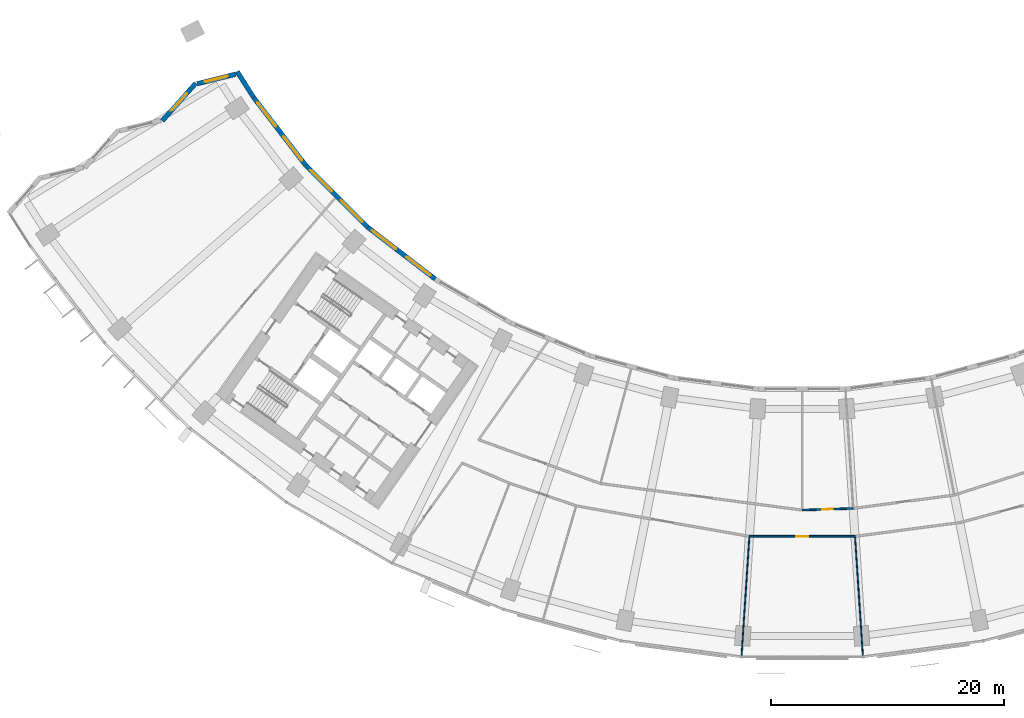
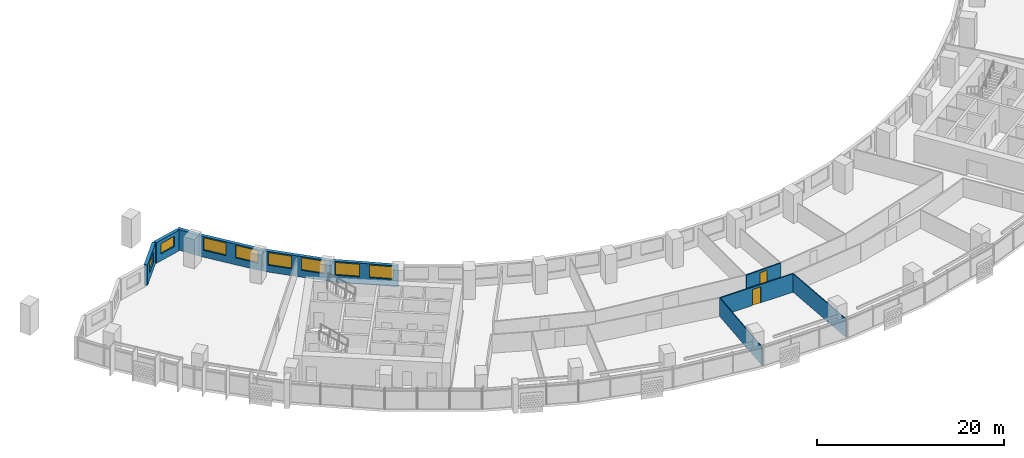
# One storey, part 5 of 31: 10 walls, 8 windows, 2 doors, 10 openings.
"""IFC4 building model written with IfcOpenShell, lengths in metres."""

from ifc_helpers import new_model, si_unit, direction, frame, frame_2d, origin, place, context, subcontext, project, spatial, rectangle, extrude, material, layer, layer_set, type_object, element, fill, save


model = new_model("IFC4")

# Units and contexts
model_context = context("Model", 3, precision=1e-05, world=origin(), true_north=direction((0.0, 1.0)))
body_context = subcontext(model_context, "Body", "Model", "MODEL_VIEW")
ifc_project = project(units=[si_unit("LENGTHUNIT", "METRE"), si_unit("AREAUNIT", "SQUARE_METRE"), si_unit("VOLUMEUNIT", "CUBIC_METRE"), si_unit("PLANEANGLEUNIT", "RADIAN"), si_unit("MASSUNIT", "GRAM", prefix="KILO")], contexts=[model_context])

# Site, building, storey
site_placement = place(None, origin())
site = spatial("IfcSite", under=ifc_project, at=site_placement, CompositionType="ELEMENT")
building_placement = place(site_placement, origin())
building = spatial("IfcBuilding", under=site, at=building_placement, Name="Qamariyya Broadcast Tower", CompositionType="ELEMENT")
storey_placement = place(building_placement, frame((0.0, 0.0, 82.300048828125)))
storey = spatial("IfcBuildingStorey", under=building, at=storey_placement, Name="L17", CompositionType="ELEMENT", Elevation=82.300048828125)

# Wall, opening, door
ifc_material_1 = material(Name="Gypsum board partition")
ifc_layer_1 = layer(ifc_material_1, 0.14990234375)
ifc_layer_set_1 = layer_set([ifc_layer_1], Name="Corridor partition 150 EI 60")
wall_type_1 = type_object("IfcWallType", Name="Corridor partition 150 EI 60", PredefinedType="PARTITIONING", material=ifc_layer_set_1)
wall_1_placement = place(storey_placement, frame((4.52587890625, -69.0517578125, 0.0), z_axis=(0.0, 0.0, 1.0), x_axis=(-1.0, 0.0, 0.0)))
wall_1 = element("IfcWall", 1, at=wall_1_placement, inside=storey, type_object=wall_type_1, Name="Partition L17-013", PredefinedType="PARTITIONING", context=body_context, shape_type="SweptSolid", body=[
    extrude(rectangle(XDim=9.0517578125, YDim=0.14990234375, at=frame_2d((4.52587890625, 0.0))), origin(), (0.0, 0.0, 1.0), 2.39990234375),
])
opening_1_placement = place(wall_1_placement, frame((4.02587890625, 0.0, 0.0)))
opening_1 = element("IfcOpeningElement", 2, at=opening_1_placement, cuts=wall_1, Name="Opening L17-D04", PredefinedType="OPENING", context=body_context, shape_type="SweptSolid", body=[
    extrude(rectangle(XDim=1.0, YDim=2.10009765625, at=frame_2d((0.5, 1.050048828125))), frame((0.0, 0.0849609375, 0.0), z_axis=(0.0, -1.0, 0.0), x_axis=(1.0, 0.0, 0.0)), (0.0, 0.0, 1.0), 0.169921875),
])
ifc_material_2 = material(Name="Timber fire door leaf", Category="wood")
door_type_1 = type_object("IfcDoorType", Name="Fire door 1000 x 2100 FD60", OperationType="NOTDEFINED", PredefinedType="DOOR", material=ifc_material_2)
door_1_placement = place(opening_1_placement, origin())
door_1 = element("IfcDoor", 3, at=door_1_placement, inside=storey, type_object=door_type_1, Name="Door L17-D04", OperationType="SINGLE_SWING_RIGHT", OverallHeight=2.10009765625, OverallWidth=1.0, PredefinedType="DOOR", context=body_context, shape_type="SweptSolid", body=[
    extrude(rectangle(XDim=1.0, YDim=2.10009765625, at=frame_2d((0.5, 1.050048828125))), frame((0.0, 0.02490234375, 0.0), z_axis=(0.0, -1.0, 0.0), x_axis=(1.0, 0.0, 0.0)), (0.0, 0.0, 1.0), 0.050048828125),
])
fill(opening_1, door_1)

wall_2_placement = place(storey_placement, frame((0.0, -66.800048828125, 0.0), z_axis=(0.0, 0.0, 1.0), x_axis=(0.99946426167, 0.03272903366, 0.0)))
wall_2 = element("IfcWall", 4, at=wall_2_placement, inside=storey, type_object=wall_type_1, Name="Partition L17-014", PredefinedType="PARTITIONING", context=body_context, shape_type="SweptSolid", body=[
    extrude(rectangle(XDim=4.371337890625, YDim=0.14990234375, at=frame_2d((2.185546875, 0.0))), origin(), (0.0, 0.0, 1.0), 2.39990234375),
])
opening_2_placement = place(wall_2_placement, frame((1.735595703125, 0.0, 0.0)))
opening_2 = element("IfcOpeningElement", 5, at=opening_2_placement, cuts=wall_2, Name="Opening L17-D09", PredefinedType="OPENING", context=body_context, shape_type="SweptSolid", body=[
    extrude(rectangle(XDim=0.89990234375, YDim=2.10009765625, at=frame_2d((0.449951171875, 1.050048828125))), frame((0.0, 0.0849609375, 0.0), z_axis=(0.0, -1.0, 0.0), x_axis=(1.0, 0.0, 0.0)), (0.0, 0.0, 1.0), 0.169921875),
])
door_type_2 = type_object("IfcDoorType", Name="Fire door 900 x 2100 FD60", OperationType="NOTDEFINED", PredefinedType="DOOR", material=ifc_material_2)
door_2_placement = place(opening_2_placement, origin())
door_2 = element("IfcDoor", 6, at=door_2_placement, inside=storey, type_object=door_type_2, Name="Door L17-D09", OperationType="SINGLE_SWING_RIGHT", OverallHeight=2.10009765625, OverallWidth=0.89990234375, PredefinedType="DOOR", context=body_context, shape_type="SweptSolid", body=[
    extrude(rectangle(XDim=0.89990234375, YDim=2.10009765625, at=frame_2d((0.449951171875, 1.050048828125))), frame((0.0, 0.02490234375, 0.0), z_axis=(0.0, -1.0, 0.0), x_axis=(1.0, 0.0, 0.0)), (0.0, 0.0, 1.0), 0.050048828125),
])
fill(opening_2, door_2)

# Walls
ifc_layer_2 = layer(ifc_material_1, 0.10009765625)
ifc_layer_set_2 = layer_set([ifc_layer_2], Name="Partition 100")
wall_type_2 = type_object("IfcWallType", Name="Partition 100", PredefinedType="PARTITIONING", material=ifc_layer_set_2)
for number, where, z_axis, x_axis, name in (
    (7, (-5.1962890625, -79.27978515625, 0.0), (0.0, 0.0, 1.0), (0.065408959123, 0.99785854111, 0.0), "Partition L17-012"),
    (8, (5.1962890625, -79.27978515625, 0.0), (0.0, 0.0, 1.0), (-0.065408959123, 0.99785854111, 0.0), "Partition L17-019"),
):
    element("IfcWall", number, at=place(storey_placement, frame(where, z_axis=z_axis, x_axis=x_axis)), inside=storey, type_object=wall_type_2, Name=name, PredefinedType="PARTITIONING", context=body_context, shape_type="SweptSolid", body=[
        extrude(rectangle(XDim=10.1748046875, YDim=0.10009765625, at=frame_2d((5.08740234375, 0.0))), origin(), (0.0, 0.0, 1.0), 2.39990234375),
    ])

# Wall, opening, window
ifc_material_3 = material(Name="Terracotta", Category="masonry")
ifc_layer_3 = layer(ifc_material_3, 0.39990234375)
ifc_layer_set_3 = layer_set([ifc_layer_3], Name="Terracotta clad wall 400")
wall_type_3 = type_object("IfcWallType", Name="Terracotta clad wall 400", PredefinedType="SOLIDWALL", material=ifc_layer_set_3)
wall_3_placement = place(storey_placement, frame((-48.55419921875, -29.44580078125, 0.0), z_axis=(0.0, 0.0, 1.0), x_axis=(-0.970551535224, -0.240893581225, 0.0)))
wall_3 = element("IfcWall", 9, at=wall_3_placement, inside=storey, type_object=wall_type_3, Name="e-wl-L17-capW0", PredefinedType="SOLIDWALL", context=body_context, shape_type="SweptSolid", body=[
    extrude(rectangle(XDim=3.39404296875, YDim=0.39990234375, at=frame_2d((1.697021484375, 0.0))), origin(), (0.0, 0.0, 1.0), 2.699951171875),
])
opening_3_placement = place(wall_3_placement, frame((0.697021484375, 0.0, 0.89990234375)))
opening_3 = element("IfcOpeningElement", 10, at=opening_3_placement, cuts=wall_3, Name="Opening W4", PredefinedType="OPENING", context=body_context, shape_type="SweptSolid", body=[
    extrude(rectangle(XDim=2.0, YDim=1.35009765625, at=frame_2d((1.0, 0.675048828125))), frame((0.0, 0.2099609375, 0.0), z_axis=(0.0, -1.0, 0.0), x_axis=(1.0, 0.0, 0.0)), (0.0, 0.0, 1.0), 0.419921875),
])
ifc_material_4 = material(Name="Clear low-e double glazed unit in aluminium frame", Category="aluminium")
window_type_1 = type_object("IfcWindowType", Name="Horn bay window 2000 x 1350", PartitioningType="SINGLE_PANEL", PredefinedType="WINDOW", material=ifc_material_4)
window_1_placement = place(opening_3_placement, origin())
window_1 = element("IfcWindow", 11, at=window_1_placement, inside=storey, type_object=window_type_1, Name="e-w-L17-capW0", OverallHeight=1.35009765625, OverallWidth=2.0, PartitioningType="SINGLE_PANEL", PredefinedType="WINDOW", context=body_context, shape_type="SweptSolid", body=[
    extrude(rectangle(XDim=2.0, YDim=1.35009765625, at=frame_2d((1.0, 0.675048828125))), frame((0.0, 0.030029296875, 0.0), z_axis=(0.0, -1.0, 0.0), x_axis=(1.0, 0.0, 0.0)), (0.0, 0.0, 1.0), 0.06005859375),
])
fill(opening_3, window_1)

wall_4_placement = place(storey_placement, frame((-51.97265625, -30.23046875, 0.0), z_axis=(0.0, 0.0, 1.0), x_axis=(-0.66548480652, -0.746411396143, 0.0)))
wall_4 = element("IfcWall", 12, at=wall_4_placement, inside=storey, type_object=wall_type_3, Name="e-wl-L17-capW1", PredefinedType="SOLIDWALL", context=body_context, shape_type="SweptSolid", body=[
    extrude(rectangle(XDim=4.2958984375, YDim=0.39990234375, at=frame_2d((2.14794921875, 0.0))), origin(), (0.0, 0.0, 1.0), 2.699951171875),
])
opening_4_placement = place(wall_4_placement, frame((1.14794921875, 0.0, 0.89990234375)))
opening_4 = element("IfcOpeningElement", 13, at=opening_4_placement, cuts=wall_4, Name="Opening W4", PredefinedType="OPENING", context=body_context, shape_type="SweptSolid", body=[
    extrude(rectangle(XDim=2.0, YDim=1.35009765625, at=frame_2d((1.0, 0.675048828125))), frame((0.0, 0.2099609375, 0.0), z_axis=(0.0, -1.0, 0.0), x_axis=(1.0, 0.0, 0.0)), (0.0, 0.0, 1.0), 0.419921875),
])
window_2_placement = place(opening_4_placement, origin())
window_2 = element("IfcWindow", 14, at=window_2_placement, inside=storey, type_object=window_type_1, Name="e-w-L17-capW1", OverallHeight=1.35009765625, OverallWidth=2.0, PartitioningType="SINGLE_PANEL", PredefinedType="WINDOW", context=body_context, shape_type="SweptSolid", body=[
    extrude(rectangle(XDim=2.0, YDim=1.35009765625, at=frame_2d((1.0, 0.675048828125))), frame((0.0, 0.030029296875, 0.0), z_axis=(0.0, -1.0, 0.0), x_axis=(1.0, 0.0, 0.0)), (0.0, 0.0, 1.0), 0.06005859375),
])
fill(opening_4, window_2)

# Wall
wall_5_placement = place(storey_placement, frame((-47.00927734375, -31.433837890625, 0.0), z_axis=(0.0, 0.0, 1.0), x_axis=(-0.536640076368, 0.843811251665, 0.0)))
element("IfcWall", 15, at=wall_5_placement, inside=storey, type_object=wall_type_3, Name="e-wl-L17-in00", PredefinedType="SOLIDWALL", context=body_context, shape_type="SweptSolid", body=[
    extrude(rectangle(XDim=2.6171875, YDim=0.39990234375, at=frame_2d((1.30859375, 0.0))), origin(), (0.0, 0.0, 1.0), 2.699951171875),
])

# Wall, openings, windows
wall_6_placement = place(storey_placement, frame((-42.5478515625, -37.24609375, 0.0), z_axis=(0.0, 0.0, 1.0), x_axis=(-0.608738614225, 0.79337084617, 0.0)))
wall_6 = element("IfcWall", 16, at=wall_6_placement, inside=storey, type_object=wall_type_3, Name="e-wl-L17-in10", PredefinedType="SOLIDWALL", context=body_context, shape_type="SweptSolid", body=[
    extrude(rectangle(XDim=7.309814453125, YDim=0.39990234375, at=frame_2d((3.65478515625, 0.0))), origin(), (0.0, 0.0, 1.0), 2.699951171875),
])
opening_5_placement = place(wall_6_placement, frame((4.190673828125, 0.0, 0.89990234375)))
opening_5 = element("IfcOpeningElement", 17, at=opening_5_placement, cuts=wall_6, Name="Opening W1", PredefinedType="OPENING", context=body_context, shape_type="SweptSolid", body=[
    extrude(rectangle(XDim=2.60009765625, YDim=1.64990234375, at=frame_2d((1.300048828125, 0.824951171875))), frame((0.0, 0.2099609375, 0.0), z_axis=(0.0, -1.0, 0.0), x_axis=(1.0, 0.0, 0.0)), (0.0, 0.0, 1.0), 0.419921875),
])
opening_6_placement = place(wall_6_placement, frame((0.505126953125, 0.0, 0.89990234375)))
opening_6 = element("IfcOpeningElement", 18, at=opening_6_placement, cuts=wall_6, Name="Opening W1", PredefinedType="OPENING", context=body_context, shape_type="SweptSolid", body=[
    extrude(rectangle(XDim=2.60009765625, YDim=1.64990234375, at=frame_2d((1.300048828125, 0.824951171875))), frame((0.0, 0.2099609375, 0.0), z_axis=(0.0, -1.0, 0.0), x_axis=(1.0, 0.0, 0.0)), (0.0, 0.0, 1.0), 0.419921875),
])
window_type_2 = type_object("IfcWindowType", Name="Ribbon window 2600 x 1650", PartitioningType="SINGLE_PANEL", PredefinedType="WINDOW", material=ifc_material_4)
window_3_placement = place(opening_5_placement, origin())
window_3 = element("IfcWindow", 19, at=window_3_placement, inside=storey, type_object=window_type_2, Name="e-w-L17-in01-0", OverallHeight=1.64990234375, OverallWidth=2.60009765625, PartitioningType="SINGLE_PANEL", PredefinedType="WINDOW", context=body_context, shape_type="SweptSolid", body=[
    extrude(rectangle(XDim=2.60009765625, YDim=1.64990234375, at=frame_2d((1.300048828125, 0.824951171875))), frame((0.0, 0.030029296875, 0.0), z_axis=(0.0, -1.0, 0.0), x_axis=(1.0, 0.0, 0.0)), (0.0, 0.0, 1.0), 0.06005859375),
])
fill(opening_5, window_3)
window_4_placement = place(opening_6_placement, origin())
window_4 = element("IfcWindow", 20, at=window_4_placement, inside=storey, type_object=window_type_2, Name="e-w-L17-in01-1", OverallHeight=1.64990234375, OverallWidth=2.60009765625, PartitioningType="SINGLE_PANEL", PredefinedType="WINDOW", context=body_context, shape_type="SweptSolid", body=[
    extrude(rectangle(XDim=2.60009765625, YDim=1.64990234375, at=frame_2d((1.300048828125, 0.824951171875))), frame((0.0, 0.030029296875, 0.0), z_axis=(0.0, -1.0, 0.0), x_axis=(1.0, 0.0, 0.0)), (0.0, 0.0, 1.0), 0.06005859375),
])
fill(opening_6, window_4)

wall_7_placement = place(storey_placement, frame((-37.2685546875, -42.534423828125, 0.0), z_axis=(0.0, 0.0, 1.0), x_axis=(-0.707106781187, 0.707106781187, 0.0)))
wall_7 = element("IfcWall", 21, at=wall_7_placement, inside=storey, type_object=wall_type_3, Name="e-wl-L17-in20", PredefinedType="SOLIDWALL", context=body_context, shape_type="SweptSolid", body=[
    extrude(rectangle(XDim=7.447021484375, YDim=0.39990234375, at=frame_2d((3.7236328125, 0.0))), origin(), (0.0, 0.0, 1.0), 2.699951171875),
])
opening_7_placement = place(wall_7_placement, frame((4.266357421875, 0.0, 0.89990234375)))
opening_7 = element("IfcOpeningElement", 22, at=opening_7_placement, cuts=wall_7, Name="Opening W1", PredefinedType="OPENING", context=body_context, shape_type="SweptSolid", body=[
    extrude(rectangle(XDim=2.60009765625, YDim=1.64990234375, at=frame_2d((1.300048828125, 0.824951171875))), frame((0.0, 0.2099609375, 0.0), z_axis=(0.0, -1.0, 0.0), x_axis=(1.0, 0.0, 0.0)), (0.0, 0.0, 1.0), 0.419921875),
])
opening_8_placement = place(wall_7_placement, frame((0.580810546875, 0.0, 0.89990234375)))
opening_8 = element("IfcOpeningElement", 23, at=opening_8_placement, cuts=wall_7, Name="Opening W1", PredefinedType="OPENING", context=body_context, shape_type="SweptSolid", body=[
    extrude(rectangle(XDim=2.60009765625, YDim=1.64990234375, at=frame_2d((1.300048828125, 0.824951171875))), frame((0.0, 0.2099609375, 0.0), z_axis=(0.0, -1.0, 0.0), x_axis=(1.0, 0.0, 0.0)), (0.0, 0.0, 1.0), 0.419921875),
])
window_5_placement = place(opening_7_placement, origin())
window_5 = element("IfcWindow", 24, at=window_5_placement, inside=storey, type_object=window_type_2, Name="e-w-L17-in02-0", OverallHeight=1.64990234375, OverallWidth=2.60009765625, PartitioningType="SINGLE_PANEL", PredefinedType="WINDOW", context=body_context, shape_type="SweptSolid", body=[
    extrude(rectangle(XDim=2.60009765625, YDim=1.64990234375, at=frame_2d((1.300048828125, 0.824951171875))), frame((0.0, 0.030029296875, 0.0), z_axis=(0.0, -1.0, 0.0), x_axis=(1.0, 0.0, 0.0)), (0.0, 0.0, 1.0), 0.06005859375),
])
fill(opening_7, window_5)
window_6_placement = place(opening_8_placement, origin())
window_6 = element("IfcWindow", 25, at=window_6_placement, inside=storey, type_object=window_type_2, Name="e-w-L17-in02-1", OverallHeight=1.64990234375, OverallWidth=2.60009765625, PartitioningType="SINGLE_PANEL", PredefinedType="WINDOW", context=body_context, shape_type="SweptSolid", body=[
    extrude(rectangle(XDim=2.60009765625, YDim=1.64990234375, at=frame_2d((1.300048828125, 0.824951171875))), frame((0.0, 0.030029296875, 0.0), z_axis=(0.0, -1.0, 0.0), x_axis=(1.0, 0.0, 0.0)), (0.0, 0.0, 1.0), 0.06005859375),
])
fill(opening_8, window_6)

wall_8_placement = place(storey_placement, frame((-31.4580078125, -46.989013671875, 0.0), z_axis=(0.0, 0.0, 1.0), x_axis=(-0.79336607943, 0.60874482668, 0.0)))
wall_8 = element("IfcWall", 26, at=wall_8_placement, inside=storey, type_object=wall_type_3, Name="e-wl-L17-in30", PredefinedType="SOLIDWALL", context=body_context, shape_type="SweptSolid", body=[
    extrude(rectangle(XDim=7.295654296875, YDim=0.39990234375, at=frame_2d((3.64794921875, 0.0))), origin(), (0.0, 0.0, 1.0), 2.699951171875),
])
opening_9_placement = place(wall_8_placement, frame((4.190673828125, 0.0, 0.89990234375)))
opening_9 = element("IfcOpeningElement", 27, at=opening_9_placement, cuts=wall_8, Name="Opening W1", PredefinedType="OPENING", context=body_context, shape_type="SweptSolid", body=[
    extrude(rectangle(XDim=2.60009765625, YDim=1.64990234375, at=frame_2d((1.300048828125, 0.824951171875))), frame((0.0, 0.2099609375, 0.0), z_axis=(0.0, -1.0, 0.0), x_axis=(1.0, 0.0, 0.0)), (0.0, 0.0, 1.0), 0.419921875),
])
opening_10_placement = place(wall_8_placement, frame((0.505126953125, 0.0, 0.89990234375)))
opening_10 = element("IfcOpeningElement", 28, at=opening_10_placement, cuts=wall_8, Name="Opening W1", PredefinedType="OPENING", context=body_context, shape_type="SweptSolid", body=[
    extrude(rectangle(XDim=2.60009765625, YDim=1.64990234375, at=frame_2d((1.300048828125, 0.824951171875))), frame((0.0, 0.2099609375, 0.0), z_axis=(0.0, -1.0, 0.0), x_axis=(1.0, 0.0, 0.0)), (0.0, 0.0, 1.0), 0.419921875),
])
window_7_placement = place(opening_9_placement, origin())
window_7 = element("IfcWindow", 29, at=window_7_placement, inside=storey, type_object=window_type_2, Name="e-w-L17-in03-0", OverallHeight=1.64990234375, OverallWidth=2.60009765625, PartitioningType="SINGLE_PANEL", PredefinedType="WINDOW", context=body_context, shape_type="SweptSolid", body=[
    extrude(rectangle(XDim=2.60009765625, YDim=1.64990234375, at=frame_2d((1.300048828125, 0.824951171875))), frame((0.0, 0.030029296875, 0.0), z_axis=(0.0, -1.0, 0.0), x_axis=(1.0, 0.0, 0.0)), (0.0, 0.0, 1.0), 0.06005859375),
])
fill(opening_9, window_7)
window_8_placement = place(opening_10_placement, origin())
window_8 = element("IfcWindow", 30, at=window_8_placement, inside=storey, type_object=window_type_2, Name="e-w-L17-in03-1", OverallHeight=1.64990234375, OverallWidth=2.60009765625, PartitioningType="SINGLE_PANEL", PredefinedType="WINDOW", context=body_context, shape_type="SweptSolid", body=[
    extrude(rectangle(XDim=2.60009765625, YDim=1.64990234375, at=frame_2d((1.300048828125, 0.824951171875))), frame((0.0, 0.030029296875, 0.0), z_axis=(0.0, -1.0, 0.0), x_axis=(1.0, 0.0, 0.0)), (0.0, 0.0, 1.0), 0.06005859375),
])
fill(opening_10, window_8)

save(model, "model.ifc")
